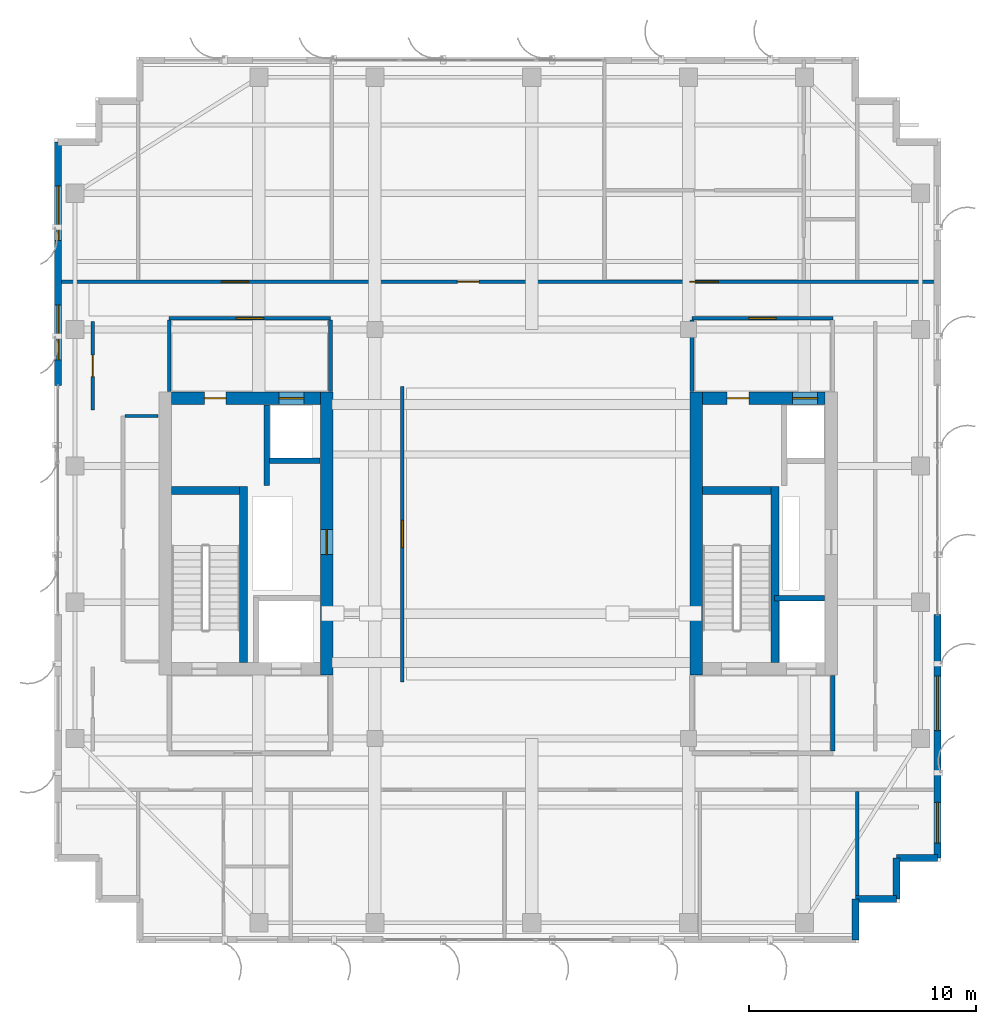
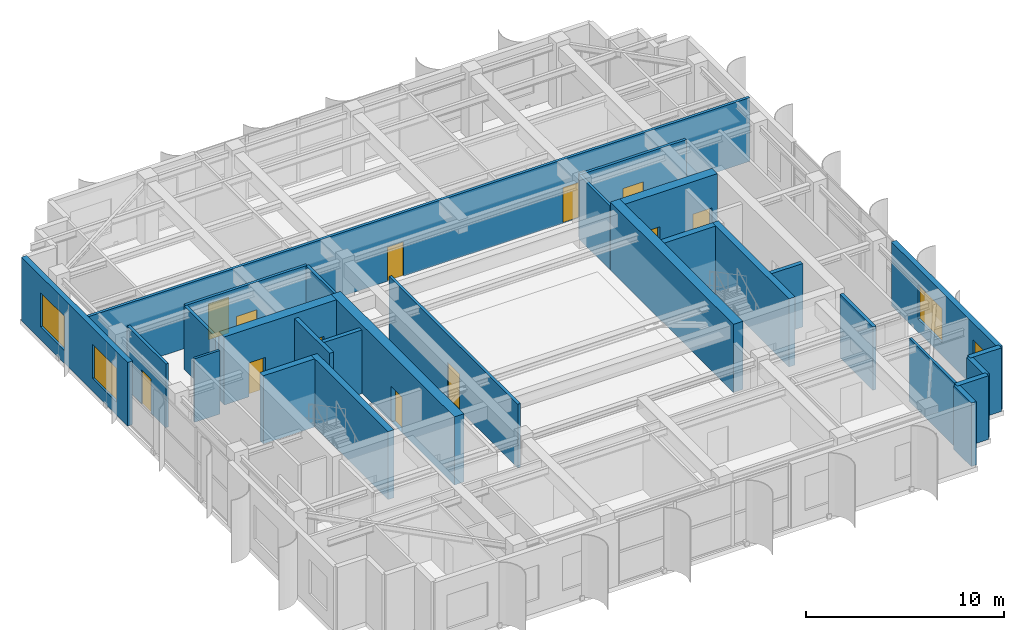
# One storey, part 21 of 26: 28 walls, 12 doors, 4 windows, 16 openings.
"""IFC4 building model written with IfcOpenShell, lengths in metres."""

from ifc_helpers import new_model, si_unit, direction, frame, frame_2d, origin, place, context, subcontext, project, spatial, rectangle, extrude, source, transform, mapped, material, layer, layer_set, type_object, element, fill, save


model = new_model("IFC4")

# Units and contexts
model_context = context("Model", 3, precision=1e-05, world=origin(), true_north=direction((0.0, 1.0)))
body_context = subcontext(model_context, "Body", "Model", "MODEL_VIEW")
ifc_project = project(units=[si_unit("LENGTHUNIT", "METRE"), si_unit("AREAUNIT", "SQUARE_METRE"), si_unit("VOLUMEUNIT", "CUBIC_METRE"), si_unit("PLANEANGLEUNIT", "RADIAN"), si_unit("MASSUNIT", "GRAM", prefix="KILO")], contexts=[model_context])

# Site, building, storey
site_placement = place(None, origin())
site = spatial("IfcSite", under=ifc_project, at=site_placement, CompositionType="ELEMENT")
building_placement = place(site_placement, origin())
building = spatial("IfcBuilding", under=site, at=building_placement, Name="Khoralis Quay Care Tower", CompositionType="ELEMENT")
storey_placement = place(building_placement, frame((0.0, 0.0, 289.5)))
storey = spatial("IfcBuildingStorey", under=building, at=storey_placement, Name="L76", CompositionType="ELEMENT", Elevation=289.5)

# Wall
ifc_material_1 = material(Name="Gypsum plasterboard on acoustic metal stud")
ifc_layer_1 = layer(ifc_material_1, 0.199951171875)
ifc_layer_set_1 = layer_set([ifc_layer_1], Name="Gypsum plasterboard on acoustic metal stud")
wall_type_1 = type_object("IfcWallType", Name="WL-COMP-200", PredefinedType="PARTITIONING", material=ifc_layer_set_1)
wall_1_placement = place(storey_placement, frame((37.25, 11.445068359375, 0.0), z_axis=(0.0, 0.0, 1.0), x_axis=(0.0, 1.0, 0.0)))
element("IfcWall", 1, at=wall_1_placement, inside=storey, type_object=wall_type_1, Name="L76 East Firefighting Lobby East Wall", PredefinedType="PARTITIONING", context=body_context, shape_type="SweptSolid", body=[
    extrude(rectangle(XDim=3.3349609375, YDim=0.199951171875, at=frame_2d((1.66748046875, 0.0))), origin(), (0.0, 0.0, 1.0), 3.919921875),
])

# Wall, opening, door
ifc_material_2 = material(Name="Concrete C65/80", Category="concrete")
ifc_layer_2 = layer(ifc_material_2, 0.550048828125)
ifc_layer_set_2 = layer_set([ifc_layer_2], Name="Concrete C65/80")
wall_type_2 = type_object("IfcWallType", Name="WL-CORE-550", PredefinedType="SHEAR", material=ifc_layer_set_2)
wall_2_placement = place(storey_placement, frame((14.97509765625, 14.800048828125, 0.0), z_axis=(0.0, 0.0, 1.0), x_axis=(0.0, 1.0, 0.0)))
wall_2 = element("IfcWall", 2, at=wall_2_placement, inside=storey, type_object=wall_type_2, Name="L76 WCORE East Shear Wall", PredefinedType="SHEAR", context=body_context, shape_type="SweptSolid", body=[
    extrude(rectangle(XDim=12.449951171875, YDim=0.550048828125, at=frame_2d((6.22509765625, 0.0))), origin(), (0.0, 0.0, 1.0), 4.199951171875),
])
opening_1_placement = place(wall_2_placement, frame((5.300048828125, 0.0, 0.0)))
opening_1 = element("IfcOpeningElement", 3, at=opening_1_placement, cuts=wall_2, Name="Opening SD1", PredefinedType="OPENING", context=body_context, shape_type="SweptSolid", body=[
    extrude(rectangle(XDim=1.10009765625, YDim=2.199951171875, at=frame_2d((0.550048828125, 1.10009765625))), frame((0.0, 0.28515625, 0.0), z_axis=(0.0, -1.0, 0.0), x_axis=(1.0, 0.0, 0.0)), (0.0, 0.0, 1.0), 0.570068359375),
])
ifc_material_3 = material(Name="Fire-rated painted steel", Category="steel")
door_type_1 = type_object("IfcDoorType", Name="DR-STAIR-1100X2200", OperationType="NOTDEFINED", PredefinedType="DOOR", material=ifc_material_3)
shared_shape_1 = source(origin(), body_context, "Body", "SweptSolid", [
    extrude(rectangle(XDim=1.10009765625, YDim=2.199951171875, at=frame_2d((0.550048828125, 1.10009765625))), frame((0.0, 0.02490234375, 0.0), z_axis=(0.0, -1.0, 0.0), x_axis=(1.0, 0.0, 0.0)), (0.0, 0.0, 1.0), 0.050048828125),
])
door_1_placement = place(opening_1_placement, origin())
door_1 = element("IfcDoor", 4, at=door_1_placement, inside=storey, type_object=door_type_1, Name="L76 West MEP Riser Door", OperationType="SINGLE_SWING_RIGHT", OverallHeight=2.199951171875, OverallWidth=1.10009765625, PredefinedType="DOOR", context=body_context, shape_type="MappedRepresentation", body=[
    mapped(shared_shape_1, transform((0.0, 0.0, 0.0), scale=1.0)),
])
fill(opening_1, door_1)

# Wall, openings, doors
wall_3_placement = place(storey_placement, frame((8.14990234375, 26.97509765625, 0.0), z_axis=(0.0, 0.0, 1.0), x_axis=(1.0, 0.0, 0.0)))
wall_3 = element("IfcWall", 5, at=wall_3_placement, inside=storey, type_object=wall_type_2, Name="L76 WCORE North Shear Wall", PredefinedType="SHEAR", context=body_context, shape_type="SweptSolid", body=[
    extrude(rectangle(XDim=6.550048828125, YDim=0.550048828125, at=frame_2d((3.27490234375, 0.0))), origin(), (0.0, 0.0, 1.0), 4.199951171875),
])
opening_2_placement = place(wall_3_placement, frame((1.449951171875, 0.0, 0.0)))
opening_2 = element("IfcOpeningElement", 6, at=opening_2_placement, cuts=wall_3, Name="Opening ID1", PredefinedType="OPENING", context=body_context, shape_type="SweptSolid", body=[
    extrude(rectangle(XDim=0.949951171875, YDim=2.10009765625, at=frame_2d((0.47509765625, 1.050048828125))), frame((0.0, 0.28515625, 0.0), z_axis=(0.0, -1.0, 0.0), x_axis=(1.0, 0.0, 0.0)), (0.0, 0.0, 1.0), 0.570068359375),
])
opening_3_placement = place(wall_3_placement, frame((4.72998046875, 0.0, 0.0)))
opening_3 = element("IfcOpeningElement", 7, at=opening_3_placement, cuts=wall_3, Name="Opening LD1", PredefinedType="OPENING", context=body_context, shape_type="SweptSolid", body=[
    extrude(rectangle(XDim=1.10009765625, YDim=2.199951171875, at=frame_2d((0.550048828125, 1.10009765625))), frame((0.0, 0.28515625, 0.0), z_axis=(0.0, -1.0, 0.0), x_axis=(1.0, 0.0, 0.0)), (0.0, 0.0, 1.0), 0.570068359375),
])
ifc_material_4 = material(Name="Brushed stainless steel", Category="steel")
door_type_2 = type_object("IfcDoorType", Name="DR-LIFT-1100X2200", OperationType="SLIDING_TO_LEFT", PredefinedType="DOOR", material=ifc_material_4)
shared_shape_2 = source(origin(), body_context, "Body", "SweptSolid", [
    extrude(rectangle(XDim=1.10009765625, YDim=2.199951171875, at=frame_2d((0.550048828125, 1.10009765625))), frame((0.0, 0.02490234375, 0.0), z_axis=(0.0, -1.0, 0.0), x_axis=(1.0, 0.0, 0.0)), (0.0, 0.0, 1.0), 0.050048828125),
])
door_2_placement = place(opening_3_placement, origin())
door_2 = element("IfcDoor", 8, at=door_2_placement, inside=storey, type_object=door_type_2, Name="L76 Lift PLH1 Landing Door", OperationType="SLIDING_TO_LEFT", OverallHeight=2.199951171875, OverallWidth=1.10009765625, PredefinedType="DOOR", context=body_context, shape_type="MappedRepresentation", body=[
    mapped(shared_shape_2, transform((0.0, 0.0, 0.0), scale=1.0)),
])
fill(opening_3, door_2)
ifc_material_5 = material(Name="Acoustic hardwood timber", Category="wood")
door_type_3 = type_object("IfcDoorType", Name="DR-ROOM-950X2100", OperationType="NOTDEFINED", PredefinedType="DOOR", material=ifc_material_5)
shared_shape_3 = source(origin(), body_context, "Body", "SweptSolid", [
    extrude(rectangle(XDim=0.949951171875, YDim=2.10009765625, at=frame_2d((0.47509765625, 1.050048828125))), frame((0.0, 0.02490234375, 0.0), z_axis=(0.0, -1.0, 0.0), x_axis=(1.0, 0.0, 0.0)), (0.0, 0.0, 1.0), 0.050048828125),
])
door_3_placement = place(opening_2_placement, frame((0.949951171875, 0.0, 0.0), z_axis=(0.0, 0.0, 1.0), x_axis=(-1.0, 0.0, 0.0)))
door_3 = element("IfcDoor", 9, at=door_3_placement, inside=storey, type_object=door_type_3, Name="L76 Telemetry Room Door", OperationType="SINGLE_SWING_RIGHT", OverallHeight=2.10009765625, OverallWidth=0.949951171875, PredefinedType="DOOR", context=body_context, shape_type="MappedRepresentation", body=[
    mapped(shared_shape_3, transform((0.0, 0.0, 0.0), scale=1.0)),
])
fill(opening_2, door_3)

# Wall
wall_4_placement = place(storey_placement, frame((31.2451171875, 14.800048828125, 0.0), z_axis=(0.0, 0.0, 1.0), x_axis=(0.0, 1.0, 0.0)))
element("IfcWall", 10, at=wall_4_placement, inside=storey, type_object=wall_type_2, Name="L76 ECORE West Shear Wall", PredefinedType="SHEAR", context=body_context, shape_type="SweptSolid", body=[
    extrude(rectangle(XDim=12.449951171875, YDim=0.550048828125, at=frame_2d((6.22509765625, 0.0))), origin(), (0.0, 0.0, 1.0), 4.199951171875),
])

# Wall, openings, doors
wall_5_placement = place(storey_placement, frame((31.52001953125, 26.97509765625, 0.0), z_axis=(0.0, 0.0, 1.0), x_axis=(1.0, 0.0, 0.0)))
wall_5 = element("IfcWall", 11, at=wall_5_placement, inside=storey, type_object=wall_type_2, Name="L76 ECORE North Shear Wall", PredefinedType="SHEAR", context=body_context, shape_type="SweptSolid", body=[
    extrude(rectangle(XDim=5.3798828125, YDim=0.550048828125, at=frame_2d((2.68994140625, 0.0))), origin(), (0.0, 0.0, 1.0), 4.199951171875),
])
opening_4_placement = place(wall_5_placement, frame((1.080078125, 0.0, 0.0)))
opening_4 = element("IfcOpeningElement", 12, at=opening_4_placement, cuts=wall_5, Name="Opening ID1", PredefinedType="OPENING", context=body_context, shape_type="SweptSolid", body=[
    extrude(rectangle(XDim=0.949951171875, YDim=2.10009765625, at=frame_2d((0.47509765625, 1.050048828125))), frame((0.0, 0.28515625, 0.0), z_axis=(0.0, -1.0, 0.0), x_axis=(1.0, 0.0, 0.0)), (0.0, 0.0, 1.0), 0.570068359375),
])
opening_5_placement = place(wall_5_placement, frame((3.9599609375, 0.0, 0.0)))
opening_5 = element("IfcOpeningElement", 13, at=opening_5_placement, cuts=wall_5, Name="Opening LD1", PredefinedType="OPENING", context=body_context, shape_type="SweptSolid", body=[
    extrude(rectangle(XDim=1.10009765625, YDim=2.199951171875, at=frame_2d((0.550048828125, 1.10009765625))), frame((0.0, 0.28515625, 0.0), z_axis=(0.0, -1.0, 0.0), x_axis=(1.0, 0.0, 0.0)), (0.0, 0.0, 1.0), 0.570068359375),
])
door_4_placement = place(opening_5_placement, origin())
door_4 = element("IfcDoor", 14, at=door_4_placement, inside=storey, type_object=door_type_2, Name="L76 Lift PLH2 Landing Door", OperationType="SLIDING_TO_LEFT", OverallHeight=2.199951171875, OverallWidth=1.10009765625, PredefinedType="DOOR", context=body_context, shape_type="MappedRepresentation", body=[
    mapped(shared_shape_2, transform((0.0, 0.0, 0.0), scale=1.0)),
])
fill(opening_5, door_4)
door_5_placement = place(opening_4_placement, frame((0.949951171875, 0.0, 0.0), z_axis=(0.0, 0.0, 1.0), x_axis=(-1.0, 0.0, 0.0)))
door_5 = element("IfcDoor", 15, at=door_5_placement, inside=storey, type_object=door_type_3, Name="L76 Rehab Studio Door", OperationType="SINGLE_SWING_LEFT", OverallHeight=2.10009765625, OverallWidth=0.949951171875, PredefinedType="DOOR", context=body_context, shape_type="MappedRepresentation", body=[
    mapped(shared_shape_3, transform((0.0, 0.0, 0.0), scale=1.0)),
])
fill(opening_4, door_5)

# Wall, opening, door
ifc_layer_3 = layer(ifc_material_1, 0.1650390625)
ifc_layer_set_3 = layer_set([ifc_layer_3], Name="Gypsum plasterboard on acoustic metal stud")
wall_type_3 = type_object("IfcWallType", Name="WL-CORR-165", PredefinedType="PARTITIONING", material=ifc_layer_set_3)
wall_6_placement = place(storey_placement, frame((8.050048828125, 30.5, 0.0), z_axis=(0.0, 0.0, 1.0), x_axis=(1.0, 0.0, 0.0)))
wall_6 = element("IfcWall", 16, at=wall_6_placement, inside=storey, type_object=wall_type_3, Name="L76 West Lift Lobby North Wall", PredefinedType="PARTITIONING", context=body_context, shape_type="SweptSolid", body=[
    extrude(rectangle(XDim=7.099853515625, YDim=0.1650390625, at=frame_2d((3.5498046875, 0.0))), origin(), (0.0, 0.0, 1.0), 3.919921875),
])
opening_6_placement = place(wall_6_placement, frame((2.949951171875, 0.0, 0.0)))
opening_6 = element("IfcOpeningElement", 17, at=opening_6_placement, cuts=wall_6, Name="Opening FD1", PredefinedType="OPENING", context=body_context, shape_type="SweptSolid", body=[
    extrude(rectangle(XDim=1.199951171875, YDim=2.199951171875, at=frame_2d((0.60009765625, 1.10009765625))), frame((0.0, 0.092529296875, 0.0), z_axis=(0.0, -1.0, 0.0), x_axis=(1.0, 0.0, 0.0)), (0.0, 0.0, 1.0), 0.18505859375),
])
door_type_4 = type_object("IfcDoorType", Name="DR-FFL-1200X2200", OperationType="NOTDEFINED", PredefinedType="DOOR", material=ifc_material_3)
shared_shape_4 = source(origin(), body_context, "Body", "SweptSolid", [
    extrude(rectangle(XDim=1.199951171875, YDim=2.199951171875, at=frame_2d((0.60009765625, 1.10009765625))), frame((0.0, 0.02490234375, 0.0), z_axis=(0.0, -1.0, 0.0), x_axis=(1.0, 0.0, 0.0)), (0.0, 0.0, 1.0), 0.050048828125),
])
door_6_placement = place(opening_6_placement, origin())
door_6 = element("IfcDoor", 18, at=door_6_placement, inside=storey, type_object=door_type_4, Name="L76 West Lift Lobby Double Door", OperationType="DOUBLE_DOOR_SINGLE_SWING", OverallHeight=2.199951171875, OverallWidth=1.199951171875, PredefinedType="DOOR", context=body_context, shape_type="MappedRepresentation", body=[
    mapped(shared_shape_4, transform((0.0, 0.0, 0.0), scale=1.0)),
])
fill(opening_6, door_6)

# Walls
for number, where, z_axis, x_axis, name in (
    (19, (8.050048828125, 27.27001953125, 0.0), (0.0, 0.0, 1.0), (0.0, 1.0, 0.0), "L76 West Lift Lobby West Wall"),
    (20, (15.14990234375, 27.27001953125, 0.0), (0.0, 0.0, 1.0), (0.0, 1.0, 0.0), "L76 West Lift Lobby East Wall"),
):
    element("IfcWall", number, at=place(storey_placement, frame(where, z_axis=z_axis, x_axis=x_axis)), inside=storey, type_object=wall_type_3, Name=name, PredefinedType="PARTITIONING", context=body_context, shape_type="SweptSolid", body=[
        extrude(rectangle(XDim=3.152587890625, YDim=0.1650390625, at=frame_2d((1.576171875, 0.0))), origin(), (0.0, 0.0, 1.0), 3.919921875),
    ])

# Wall, opening, door
wall_7_placement = place(storey_placement, frame((31.050048828125, 30.5, 0.0), z_axis=(0.0, 0.0, 1.0), x_axis=(1.0, 0.0, 0.0)))
wall_7 = element("IfcWall", 21, at=wall_7_placement, inside=storey, type_object=wall_type_3, Name="L76 East Lift Lobby North Wall", PredefinedType="PARTITIONING", context=body_context, shape_type="SweptSolid", body=[
    extrude(rectangle(XDim=6.199951171875, YDim=0.1650390625, at=frame_2d((3.10009765625, 0.0))), origin(), (0.0, 0.0, 1.0), 3.919921875),
])
opening_7_placement = place(wall_7_placement, frame((2.5, 0.0, 0.0)))
opening_7 = element("IfcOpeningElement", 22, at=opening_7_placement, cuts=wall_7, Name="Opening FD1", PredefinedType="OPENING", context=body_context, shape_type="SweptSolid", body=[
    extrude(rectangle(XDim=1.199951171875, YDim=2.199951171875, at=frame_2d((0.60009765625, 1.10009765625))), frame((0.0, 0.092529296875, 0.0), z_axis=(0.0, -1.0, 0.0), x_axis=(1.0, 0.0, 0.0)), (0.0, 0.0, 1.0), 0.18505859375),
])
door_7_placement = place(opening_7_placement, origin())
door_7 = element("IfcDoor", 23, at=door_7_placement, inside=storey, type_object=door_type_4, Name="L76 East Lift Lobby Double Door", OperationType="DOUBLE_DOOR_SINGLE_SWING", OverallHeight=2.199951171875, OverallWidth=1.199951171875, PredefinedType="DOOR", context=body_context, shape_type="MappedRepresentation", body=[
    mapped(shared_shape_4, transform((0.0, 0.0, 0.0), scale=1.0)),
])
fill(opening_7, door_7)

# Wall
wall_8_placement = place(storey_placement, frame((31.050048828125, 27.27001953125, 0.0), z_axis=(0.0, 0.0, 1.0), x_axis=(0.0, 1.0, 0.0)))
element("IfcWall", 24, at=wall_8_placement, inside=storey, type_object=wall_type_3, Name="L76 East Lift Lobby West Wall", PredefinedType="PARTITIONING", context=body_context, shape_type="SweptSolid", body=[
    extrude(rectangle(XDim=3.152587890625, YDim=0.1650390625, at=frame_2d((1.576171875, 0.0))), origin(), (0.0, 0.0, 1.0), 3.919921875),
])

# Wall, openings, doors
wall_9_placement = place(storey_placement, frame((3.14501953125, 32.10009765625, 0.0), z_axis=(0.0, 0.0, 1.0), x_axis=(1.0, 0.0, 0.0)))
wall_9 = element("IfcWall", 25, at=wall_9_placement, inside=storey, type_object=wall_type_3, Name="L76 North Gallery Wall", PredefinedType="PARTITIONING", context=body_context, shape_type="SweptSolid", body=[
    extrude(rectangle(XDim=38.7099609375, YDim=0.1650390625, at=frame_2d((19.35498046875, 0.0))), origin(), (0.0, 0.0, 1.0), 3.919921875),
])
opening_8_placement = place(wall_9_placement, frame((7.195068359375, 0.0, 0.0)))
opening_8 = element("IfcOpeningElement", 26, at=opening_8_placement, cuts=wall_9, Name="Opening FD1", PredefinedType="OPENING", context=body_context, shape_type="SweptSolid", body=[
    extrude(rectangle(XDim=1.199951171875, YDim=2.199951171875, at=frame_2d((0.60009765625, 1.10009765625))), frame((0.0, 0.092529296875, 0.0), z_axis=(0.0, -1.0, 0.0), x_axis=(1.0, 0.0, 0.0)), (0.0, 0.0, 1.0), 0.18505859375),
])
opening_9_placement = place(wall_9_placement, frame((17.580078125, 0.0, 0.0)))
opening_9 = element("IfcOpeningElement", 27, at=opening_9_placement, cuts=wall_9, Name="Opening ID1", PredefinedType="OPENING", context=body_context, shape_type="SweptSolid", body=[
    extrude(rectangle(XDim=0.949951171875, YDim=2.10009765625, at=frame_2d((0.47509765625, 1.050048828125))), frame((0.0, 0.092529296875, 0.0), z_axis=(0.0, -1.0, 0.0), x_axis=(1.0, 0.0, 0.0)), (0.0, 0.0, 1.0), 0.18505859375),
])
opening_10_placement = place(wall_9_placement, frame((27.81494140625, 0.0, 0.0)))
opening_10 = element("IfcOpeningElement", 28, at=opening_10_placement, cuts=wall_9, Name="Opening CD1", PredefinedType="OPENING", context=body_context, shape_type="SweptSolid", body=[
    extrude(rectangle(XDim=1.25, YDim=2.199951171875, at=frame_2d((0.625, 1.10009765625))), frame((0.0, 0.092529296875, 0.0), z_axis=(0.0, -1.0, 0.0), x_axis=(1.0, 0.0, 0.0)), (0.0, 0.0, 1.0), 0.18505859375),
])
door_8_placement = place(opening_8_placement, origin())
door_8 = element("IfcDoor", 29, at=door_8_placement, inside=storey, type_object=door_type_4, Name="L76 Resident Communal Day Lounge Door", OperationType="DOUBLE_DOOR_SINGLE_SWING", OverallHeight=2.199951171875, OverallWidth=1.199951171875, PredefinedType="DOOR", context=body_context, shape_type="MappedRepresentation", body=[
    mapped(shared_shape_4, transform((0.0, 0.0, 0.0), scale=1.0)),
])
fill(opening_8, door_8)
door_type_5 = type_object("IfcDoorType", Name="DR-CARE-1250X2200", OperationType="NOTDEFINED", PredefinedType="DOOR", material=ifc_material_5)
shared_shape_5 = source(origin(), body_context, "Body", "SweptSolid", [
    extrude(rectangle(XDim=1.25, YDim=2.199951171875, at=frame_2d((0.625, 1.10009765625))), frame((0.0, 0.02490234375, 0.0), z_axis=(0.0, -1.0, 0.0), x_axis=(1.0, 0.0, 0.0)), (0.0, 0.0, 1.0), 0.050048828125),
])
door_9_placement = place(opening_10_placement, origin())
door_9 = element("IfcDoor", 30, at=door_9_placement, inside=storey, type_object=door_type_5, Name="L76 Care Suite NB2 Clinical Door", OperationType="SINGLE_SWING_RIGHT", OverallHeight=2.199951171875, OverallWidth=1.25, PredefinedType="DOOR", context=body_context, shape_type="MappedRepresentation", body=[
    mapped(shared_shape_5, transform((0.0, 0.0, 0.0), scale=1.0)),
])
fill(opening_10, door_9)
door_10_placement = place(opening_9_placement, origin())
door_10 = element("IfcDoor", 31, at=door_10_placement, inside=storey, type_object=door_type_3, Name="L76 Care Coordination Office Door", OperationType="SINGLE_SWING_RIGHT", OverallHeight=2.10009765625, OverallWidth=0.949951171875, PredefinedType="DOOR", context=body_context, shape_type="MappedRepresentation", body=[
    mapped(shared_shape_3, transform((0.0, 0.0, 0.0), scale=1.0)),
])
fill(opening_9, door_10)

# Wall, opening, door
wall_10_placement = place(storey_placement, frame((4.679931640625, 26.449951171875, 0.0), z_axis=(0.0, 0.0, 1.0), x_axis=(0.0, 1.0, 0.0)))
wall_10 = element("IfcWall", 32, at=wall_10_placement, inside=storey, type_object=wall_type_3, Name="L76 West Sky Lounge North Wall", PredefinedType="PARTITIONING", context=body_context, shape_type="SweptSolid", body=[
    extrude(rectangle(XDim=3.900146484375, YDim=0.1650390625, at=frame_2d((1.9501953125, 0.0))), origin(), (0.0, 0.0, 1.0), 3.919921875),
])
opening_11_placement = place(wall_10_placement, frame((1.47509765625, 0.0, 0.0)))
opening_11 = element("IfcOpeningElement", 33, at=opening_11_placement, cuts=wall_10, Name="Opening ID1", PredefinedType="OPENING", context=body_context, shape_type="SweptSolid", body=[
    extrude(rectangle(XDim=0.949951171875, YDim=2.10009765625, at=frame_2d((0.47509765625, 1.050048828125))), frame((0.0, 0.092529296875, 0.0), z_axis=(0.0, -1.0, 0.0), x_axis=(1.0, 0.0, 0.0)), (0.0, 0.0, 1.0), 0.18505859375),
])
door_11_placement = place(opening_11_placement, frame((0.949951171875, 0.0, 0.0), z_axis=(0.0, 0.0, 1.0), x_axis=(-1.0, 0.0, 0.0)))
door_11 = element("IfcDoor", 34, at=door_11_placement, inside=storey, type_object=door_type_3, Name="L76 West Sky Salon Door", OperationType="SINGLE_SWING_RIGHT", OverallHeight=2.10009765625, OverallWidth=0.949951171875, PredefinedType="DOOR", context=body_context, shape_type="MappedRepresentation", body=[
    mapped(shared_shape_3, transform((0.0, 0.0, 0.0), scale=1.0)),
])
fill(opening_11, door_11)

wall_11_placement = place(storey_placement, frame((18.300048828125, 14.5, 0.0), z_axis=(0.0, 0.0, 1.0), x_axis=(0.0, 1.0, 0.0)))
wall_11 = element("IfcWall", 35, at=wall_11_placement, inside=storey, type_object=wall_type_3, Name="L76 Sky Lounge Central Wall", PredefinedType="PARTITIONING", context=body_context, shape_type="SweptSolid", body=[
    extrude(rectangle(XDim=13.0, YDim=0.1650390625, at=frame_2d((6.5, 0.0))), origin(), (0.0, 0.0, 1.0), 3.919921875),
])
opening_12_placement = place(wall_11_placement, frame((5.89990234375, 0.0, 0.0)))
opening_12 = element("IfcOpeningElement", 36, at=opening_12_placement, cuts=wall_11, Name="Opening FD1", PredefinedType="OPENING", context=body_context, shape_type="SweptSolid", body=[
    extrude(rectangle(XDim=1.199951171875, YDim=2.199951171875, at=frame_2d((0.60009765625, 1.10009765625))), frame((0.0, 0.092529296875, 0.0), z_axis=(0.0, -1.0, 0.0), x_axis=(1.0, 0.0, 0.0)), (0.0, 0.0, 1.0), 0.18505859375),
])
door_12_placement = place(opening_12_placement, origin())
door_12 = element("IfcDoor", 37, at=door_12_placement, inside=storey, type_object=door_type_4, Name="L76 Sky Dining Door", OperationType="DOUBLE_DOOR_SINGLE_SWING", OverallHeight=2.199951171875, OverallWidth=1.199951171875, PredefinedType="DOOR", context=body_context, shape_type="MappedRepresentation", body=[
    mapped(shared_shape_4, transform((0.0, 0.0, 0.0), scale=1.0)),
])
fill(opening_12, door_12)

# Walls
ifc_material_6 = material(Name="Precast concrete C45/55", Category="concrete")
ifc_layer_4 = layer(ifc_material_6, 0.300048828125)
ifc_layer_set_4 = layer_set([ifc_layer_4], Name="Precast concrete C45/55")
wall_type_4 = type_object("IfcWallType", Name="WL-EXT-REF-300", PredefinedType="SOLIDWALL", material=ifc_layer_set_4)
for number, where, z_axis, x_axis, name in (
    (38, (38.25, 3.14990234375, 0.0), (0.0, 0.0, 1.0), (0.0, 1.0, 0.0), "L76 External Facade Wall WL-EXT-L76-P1-C1"),
    (39, (38.25, 4.949951171875, 0.0), (0.0, 0.0, 1.0), (1.0, 0.0, 0.0), "L76 External Facade Wall WL-EXT-L76-P1-C2"),
    (40, (40.050048828125, 4.949951171875, 0.0), (0.0, 0.0, 1.0), (0.0, 1.0, 0.0), "L76 External Facade Wall WL-EXT-L76-P1-C3"),
    (41, (40.050048828125, 6.75, 0.0), (0.0, 0.0, 1.0), (1.0, 0.0, 0.0), "L76 External Facade Wall WL-EXT-L76-P1-C4"),
):
    element("IfcWall", number, at=place(storey_placement, frame(where, z_axis=z_axis, x_axis=x_axis)), inside=storey, type_object=wall_type_4, Name=name, PredefinedType="SOLIDWALL", context=body_context, shape_type="SweptSolid", body=[
        extrude(rectangle(XDim=1.800048828125, YDim=0.300048828125, at=frame_2d((0.89990234375, 0.0))), origin(), (0.0, 0.0, 1.0), 3.919921875),
    ])

# Wall, openings, windows
wall_12_placement = place(storey_placement, frame((41.85009765625, 6.75, 0.0), z_axis=(0.0, 0.0, 1.0), x_axis=(0.0, 1.0, 0.0)))
wall_12 = element("IfcWall", 42, at=wall_12_placement, inside=storey, type_object=wall_type_4, Name="L76 External Facade Wall WL-EXT-L76-P1-E5A", PredefinedType="SOLIDWALL", context=body_context, shape_type="SweptSolid", body=[
    extrude(rectangle(XDim=10.7099609375, YDim=0.300048828125, at=frame_2d((5.35498046875, 0.0))), origin(), (0.0, 0.0, 1.0), 3.919921875),
])
opening_13_placement = place(wall_12_placement, frame((0.64990234375, 0.0, 0.800048828125)))
opening_13 = element("IfcOpeningElement", 43, at=opening_13_placement, cuts=wall_12, Name="Opening W2", PredefinedType="OPENING", context=body_context, shape_type="SweptSolid", body=[
    extrude(rectangle(XDim=1.800048828125, YDim=2.10009765625, at=frame_2d((0.89990234375, 1.050048828125))), frame((0.0, 0.16015625, 0.0), z_axis=(0.0, -1.0, 0.0), x_axis=(1.0, 0.0, 0.0)), (0.0, 0.0, 1.0), 0.320068359375),
])
opening_14_placement = place(wall_12_placement, frame((5.60498046875, 0.0, 0.800048828125)))
opening_14 = element("IfcOpeningElement", 44, at=opening_14_placement, cuts=wall_12, Name="Opening W1", PredefinedType="OPENING", context=body_context, shape_type="SweptSolid", body=[
    extrude(rectangle(XDim=2.39990234375, YDim=2.10009765625, at=frame_2d((1.199951171875, 1.050048828125))), frame((0.0, 0.16015625, 0.0), z_axis=(0.0, -1.0, 0.0), x_axis=(1.0, 0.0, 0.0)), (0.0, 0.0, 1.0), 0.320068359375),
])
ifc_material_7 = material(Name="Low-E solar-control double glazing", Category="glass")
window_type_1 = type_object("IfcWindowType", Name="WN-POD-2400X2100", PartitioningType="SINGLE_PANEL", PredefinedType="WINDOW", material=ifc_material_7)
shared_shape_6 = source(origin(), body_context, "Body", "SweptSolid", [
    extrude(rectangle(XDim=2.39990234375, YDim=2.10009765625, at=frame_2d((1.199951171875, 1.050048828125))), frame((0.0, 0.030029296875, 0.0), z_axis=(0.0, -1.0, 0.0), x_axis=(1.0, 0.0, 0.0)), (0.0, 0.0, 1.0), 0.06005859375),
])
window_1_placement = place(opening_14_placement, origin())
window_1 = element("IfcWindow", 45, at=window_1_placement, inside=storey, type_object=window_type_1, Name="WN-L76-P1-E5A Facade Window 02", OverallHeight=2.10009765625, OverallWidth=2.39990234375, PartitioningType="SINGLE_PANEL", PredefinedType="WINDOW", context=body_context, shape_type="MappedRepresentation", body=[
    mapped(shared_shape_6, transform((0.0, 0.0, 0.0), scale=1.0)),
])
fill(opening_14, window_1)
window_type_2 = type_object("IfcWindowType", Name="WN-POD-1800X2100", PartitioningType="SINGLE_PANEL", PredefinedType="WINDOW", material=ifc_material_7)
shared_shape_7 = source(origin(), body_context, "Body", "SweptSolid", [
    extrude(rectangle(XDim=1.800048828125, YDim=2.10009765625, at=frame_2d((0.89990234375, 1.050048828125))), frame((0.0, 0.030029296875, 0.0), z_axis=(0.0, -1.0, 0.0), x_axis=(1.0, 0.0, 0.0)), (0.0, 0.0, 1.0), 0.06005859375),
])
window_2_placement = place(opening_13_placement, origin())
window_2 = element("IfcWindow", 46, at=window_2_placement, inside=storey, type_object=window_type_2, Name="WN-L76-P1-E5A Facade Window 01", OverallHeight=2.10009765625, OverallWidth=1.800048828125, PartitioningType="SINGLE_PANEL", PredefinedType="WINDOW", context=body_context, shape_type="MappedRepresentation", body=[
    mapped(shared_shape_7, transform((0.0, 0.0, 0.0), scale=1.0)),
])
fill(opening_13, window_2)

wall_13_placement = place(storey_placement, frame((3.14990234375, 38.25, 0.0), z_axis=(0.0, 0.0, 1.0), x_axis=(0.0, -1.0, 0.0)))
wall_13 = element("IfcWall", 47, at=wall_13_placement, inside=storey, type_object=wall_type_4, Name="L76 External Facade Wall WL-EXT-L76-P1-E15A", PredefinedType="SOLIDWALL", context=body_context, shape_type="SweptSolid", body=[
    extrude(rectangle(XDim=10.7099609375, YDim=0.300048828125, at=frame_2d((5.35498046875, 0.0))), origin(), (0.0, 0.0, 1.0), 3.919921875),
])
opening_15_placement = place(wall_13_placement, frame((1.925048828125, 0.0, 0.800048828125)))
opening_15 = element("IfcOpeningElement", 48, at=opening_15_placement, cuts=wall_13, Name="Opening W1", PredefinedType="OPENING", context=body_context, shape_type="SweptSolid", body=[
    extrude(rectangle(XDim=2.39990234375, YDim=2.10009765625, at=frame_2d((1.199951171875, 1.050048828125))), frame((0.0, 0.16015625, 0.0), z_axis=(0.0, -1.0, 0.0), x_axis=(1.0, 0.0, 0.0)), (0.0, 0.0, 1.0), 0.320068359375),
])
opening_16_placement = place(wall_13_placement, frame((7.179931640625, 0.0, 0.800048828125)))
opening_16 = element("IfcOpeningElement", 49, at=opening_16_placement, cuts=wall_13, Name="Opening W1", PredefinedType="OPENING", context=body_context, shape_type="SweptSolid", body=[
    extrude(rectangle(XDim=2.39990234375, YDim=2.10009765625, at=frame_2d((1.199951171875, 1.050048828125))), frame((0.0, 0.16015625, 0.0), z_axis=(0.0, -1.0, 0.0), x_axis=(1.0, 0.0, 0.0)), (0.0, 0.0, 1.0), 0.320068359375),
])
window_3_placement = place(opening_15_placement, origin())
window_3 = element("IfcWindow", 50, at=window_3_placement, inside=storey, type_object=window_type_1, Name="WN-L76-P1-E15A Facade Window 01", OverallHeight=2.10009765625, OverallWidth=2.39990234375, PartitioningType="SINGLE_PANEL", PredefinedType="WINDOW", context=body_context, shape_type="MappedRepresentation", body=[
    mapped(shared_shape_6, transform((0.0, 0.0, 0.0), scale=1.0)),
])
fill(opening_15, window_3)
window_4_placement = place(opening_16_placement, origin())
window_4 = element("IfcWindow", 51, at=window_4_placement, inside=storey, type_object=window_type_1, Name="WN-L76-P1-E15A Facade Window 02", OverallHeight=2.10009765625, OverallWidth=2.39990234375, PartitioningType="SINGLE_PANEL", PredefinedType="WINDOW", context=body_context, shape_type="MappedRepresentation", body=[
    mapped(shared_shape_6, transform((0.0, 0.0, 0.0), scale=1.0)),
])
fill(opening_16, window_4)

# Walls
ifc_material_8 = material(Name="Concrete C40/50", Category="concrete")
ifc_layer_5 = layer(ifc_material_8, 0.35009765625)
ifc_layer_set_5 = layer_set([ifc_layer_5], Name="Concrete C40/50")
wall_type_5 = type_object("IfcWallType", Name="WL-SC-CORE-350", PredefinedType="SHEAR", material=ifc_layer_set_5)
wall_14_placement = place(storey_placement, frame((11.324951171875, 15.35009765625, 0.0), z_axis=(0.0, 0.0, 1.0), x_axis=(0.0, 1.0, 0.0)))
element("IfcWall", 52, at=wall_14_placement, inside=storey, type_object=wall_type_5, Name="L76 Stair ST-T1 Shear Baffle Wall East", PredefinedType="SHEAR", context=body_context, shape_type="SweptSolid", body=[
    extrude(rectangle(XDim=7.75, YDim=0.35009765625, at=frame_2d((3.875, 0.0))), origin(), (0.0, 0.0, 1.0), 4.199951171875),
])
wall_15_placement = place(storey_placement, frame((8.14990234375, 22.925048828125, 0.0), z_axis=(0.0, 0.0, 1.0), x_axis=(1.0, 0.0, 0.0)))
element("IfcWall", 53, at=wall_15_placement, inside=storey, type_object=wall_type_5, Name="L76 Stair ST-T1 Shear Baffle Wall North", PredefinedType="SHEAR", context=body_context, shape_type="SweptSolid", body=[
    extrude(rectangle(XDim=3.0, YDim=0.35009765625, at=frame_2d((1.5, 0.0))), origin(), (0.0, 0.0, 1.0), 4.199951171875),
])
wall_16_placement = place(storey_placement, frame((34.695068359375, 15.35009765625, 0.0), z_axis=(0.0, 0.0, 1.0), x_axis=(0.0, 1.0, 0.0)))
element("IfcWall", 54, at=wall_16_placement, inside=storey, type_object=wall_type_5, Name="L76 Stair ST-T2 Shear Baffle Wall East", PredefinedType="SHEAR", context=body_context, shape_type="SweptSolid", body=[
    extrude(rectangle(XDim=7.75, YDim=0.35009765625, at=frame_2d((3.875, 0.0))), origin(), (0.0, 0.0, 1.0), 4.199951171875),
])
wall_17_placement = place(storey_placement, frame((31.52001953125, 22.925048828125, 0.0), z_axis=(0.0, 0.0, 1.0), x_axis=(1.0, 0.0, 0.0)))
element("IfcWall", 55, at=wall_17_placement, inside=storey, type_object=wall_type_5, Name="L76 Stair ST-T2 Shear Baffle Wall North", PredefinedType="SHEAR", context=body_context, shape_type="SweptSolid", body=[
    extrude(rectangle(XDim=3.0, YDim=0.35009765625, at=frame_2d((1.5, 0.0))), origin(), (0.0, 0.0, 1.0), 4.199951171875),
])
ifc_layer_6 = layer(ifc_material_1, 0.239990234375)
ifc_layer_set_6 = layer_set([ifc_layer_6], Name="Gypsum plasterboard on acoustic metal stud")
wall_type_6 = type_object("IfcWallType", Name="WL-SHAFT-240", PredefinedType="PARTITIONING", material=ifc_layer_set_6)
wall_18_placement = place(storey_placement, frame((34.679931640625, 18.169921875, 0.0), z_axis=(0.0, 0.0, 1.0), x_axis=(1.0, 0.0, 0.0)))
element("IfcWall", 56, at=wall_18_placement, inside=storey, type_object=wall_type_6, Name="L76 FFL-2 Shaft Wall North", PredefinedType="PARTITIONING", context=body_context, shape_type="SweptSolid", body=[
    extrude(rectangle(XDim=2.199951171875, YDim=0.239990234375, at=frame_2d((1.10009765625, 0.0))), origin(), (0.0, 0.0, 1.0), 3.919921875),
])
wall_19_placement = place(storey_placement, frame((12.35009765625, 23.139892578125, 0.0), z_axis=(0.0, 0.0, 1.0), x_axis=(0.0, 1.0, 0.0)))
element("IfcWall", 57, at=wall_19_placement, inside=storey, type_object=wall_type_6, Name="L76 High-Rise Reclaimed Bay Wall West", PredefinedType="PARTITIONING", context=body_context, shape_type="SweptSolid", body=[
    extrude(rectangle(XDim=3.5400390625, YDim=0.239990234375, at=frame_2d((1.77001953125, 0.0))), origin(), (0.0, 0.0, 1.0), 3.919921875),
])
wall_20_placement = place(storey_placement, frame((12.465087890625, 24.22998046875, 0.0), z_axis=(0.0, 0.0, 1.0), x_axis=(1.0, 0.0, 0.0)))
element("IfcWall", 58, at=wall_20_placement, inside=storey, type_object=wall_type_6, Name="L76 High-Rise Shaft South Wall West", PredefinedType="PARTITIONING", context=body_context, shape_type="SweptSolid", body=[
    extrude(rectangle(XDim=2.21484375, YDim=0.239990234375, at=frame_2d((1.107421875, 0.0))), origin(), (0.0, 0.0, 1.0), 3.919921875),
])
ifc_layer_7 = layer(ifc_material_1, 0.139892578125)
ifc_layer_set_7 = layer_set([ifc_layer_7], Name="Gypsum plasterboard on acoustic metal stud")
wall_type_7 = type_object("IfcWallType", Name="WL-UNIT-140", PredefinedType="PARTITIONING", material=ifc_layer_set_7)
wall_21_placement = place(storey_placement, frame((6.097412109375, 26.199951171875, 0.0), z_axis=(0.0, 0.0, 1.0), x_axis=(1.0, 0.0, 0.0)))
element("IfcWall", 59, at=wall_21_placement, inside=storey, type_object=wall_type_7, Name="L76 West Flank North Cap", PredefinedType="PARTITIONING", context=body_context, shape_type="SweptSolid", body=[
    extrude(rectangle(XDim=1.462646484375, YDim=0.139892578125, at=frame_2d((0.7314453125, 0.0))), origin(), (0.0, 0.0, 1.0), 3.919921875),
])
wall_22_placement = place(storey_placement, frame((38.320068359375, 4.945068359375, 0.0), z_axis=(0.0, 0.0, 1.0), x_axis=(0.0, 1.0, 0.0)))
element("IfcWall", 60, at=wall_22_placement, inside=storey, type_object=wall_type_7, Name="L76 SB Demising Wall 4", PredefinedType="PARTITIONING", context=body_context, shape_type="SweptSolid", body=[
    extrude(rectangle(XDim=4.7275390625, YDim=0.139892578125, at=frame_2d((2.36376953125, 0.0))), origin(), (0.0, 0.0, 1.0), 3.919921875),
])

save(model, "model.ifc")
